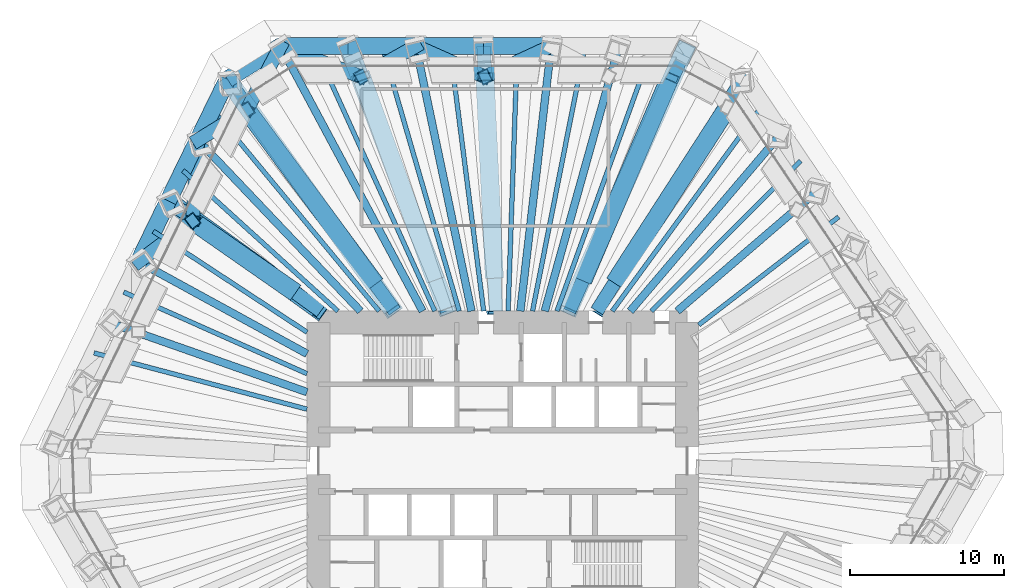
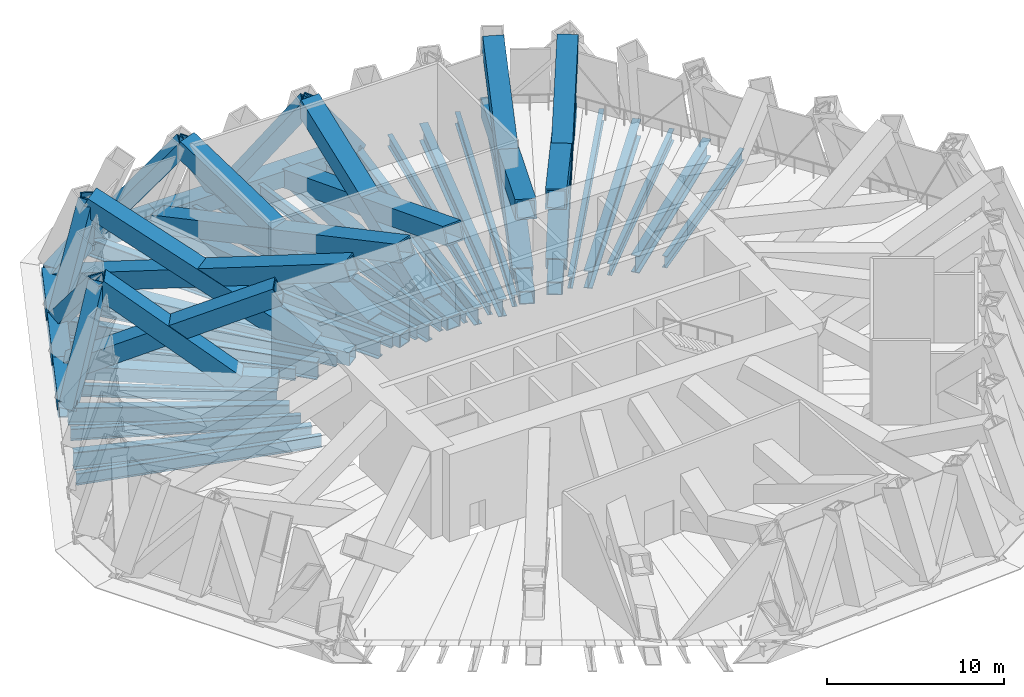
# One storey, part 4 of 12: 29 beams, 28 members.
"""IFC4 building model written with IfcOpenShell, lengths in metres."""

from ifc_helpers import new_model, si_unit, direction, frame, origin, origin_2d, place, context, subcontext, project, spatial, hollow_rectangle, i_section, extrude, material, material_profile, profile_set, type_object, element, save


model = new_model("IFC4")

# Units and contexts
model_context = context("Model", 3, precision=1e-05, world=origin(), true_north=direction((0.0, 1.0)))
body_context = subcontext(model_context, "Body", "Model", "MODEL_VIEW")
ifc_project = project(units=[si_unit("LENGTHUNIT", "METRE"), si_unit("AREAUNIT", "SQUARE_METRE"), si_unit("VOLUMEUNIT", "CUBIC_METRE"), si_unit("PLANEANGLEUNIT", "RADIAN"), si_unit("MASSUNIT", "GRAM", prefix="KILO")], contexts=[model_context])

# Site, building, storey
site_placement = place(None, origin())
site = spatial("IfcSite", under=ifc_project, at=site_placement, CompositionType="ELEMENT")
building_placement = place(site_placement, origin())
building = spatial("IfcBuilding", under=site, at=building_placement, Name="Qingtian Harvest Tower", CompositionType="ELEMENT")
storey_placement = place(building_placement, frame((0.0, 0.0, 97.0)))
storey = spatial("IfcBuildingStorey", under=building, at=storey_placement, Name="L19", CompositionType="ELEMENT", Elevation=97.0)

# Members
ifc_material_1 = material(Name="Steel SM570MC", Category="steel")
ifc_material_profile_1 = material_profile(ifc_material_1, hollow_rectangle(XDim=1.10009765625, YDim=1.10009765625, WallThickness=0.080078125, at=origin_2d()), Name="BOX1100x1100x80")
ifc_profile_set_1 = profile_set([ifc_material_profile_1], Name="Steel SM570MC")
member_type_1 = type_object("IfcMemberType", Name="Belt truss chord BC1 BOX1100x1100x80", PredefinedType="CHORD", material=ifc_profile_set_1)
for number, where, z_axis, x_axis, name in (
    (1, (-14.471435546875, 27.0, -0.550048828125), (1.0, 0.0, 0.0), (0.0, 1.0, 0.0), "Belt chord BC1 N0"),
    (2, (-10.06689453125, 27.0, -0.550048828125), (1.0, 0.0, 0.0), (0.0, 1.0, 0.0), "Belt chord BC1 N1"),
):
    element("IfcMember", number, at=place(storey_placement, frame(where, z_axis=z_axis, x_axis=x_axis)), inside=storey, type_object=member_type_1, Name=name, PredefinedType="CHORD", context=body_context, shape_type="SweptSolid", body=[
        extrude(hollow_rectangle(XDim=1.10009765625, YDim=1.10009765625, WallThickness=0.080078125, at=origin_2d()), origin(), (0.0, 0.0, 1.0), 4.404541015625),
    ])
member_1_placement = place(storey_placement, frame((-5.662353515625, 27.0, -0.550048828125), z_axis=(1.0, 0.0, 0.0), x_axis=(0.0, 1.0, 0.0)))
element("IfcMember", 3, at=member_1_placement, inside=storey, type_object=member_type_1, Name="Belt chord BC1 N2", PredefinedType="CHORD", context=body_context, shape_type="SweptSolid", body=[
    extrude(hollow_rectangle(XDim=1.10009765625, YDim=1.10009765625, WallThickness=0.080078125, at=origin_2d()), origin(), (0.0, 0.0, 1.0), 4.40478515625),
])
member_2_placement = place(storey_placement, frame((-1.257568359375, 27.0, -0.550048828125), z_axis=(1.0, 0.0, 0.0), x_axis=(0.0, 1.0, 0.0)))
element("IfcMember", 4, at=member_2_placement, inside=storey, type_object=member_type_1, Name="Belt chord BC1 N3", PredefinedType="CHORD", context=body_context, shape_type="SweptSolid", body=[
    extrude(hollow_rectangle(XDim=1.10009765625, YDim=1.10009765625, WallThickness=0.080078125, at=origin_2d()), origin(), (0.0, 0.0, 1.0), 4.404541015625),
])
member_3_placement = place(storey_placement, frame((-23.716064453125, 12.96630859375, -0.550048828125), z_axis=(0.438367938366, 0.898795611145, 0.0), x_axis=(-0.898795611145, 0.438367938366, 0.0)))
element("IfcMember", 5, at=member_3_placement, inside=storey, type_object=member_type_1, Name="Belt chord BC1 NW3", PredefinedType="CHORD", context=body_context, shape_type="SweptSolid", body=[
    extrude(hollow_rectangle(XDim=1.10009765625, YDim=1.10009765625, WallThickness=0.080078125, at=origin_2d()), origin(), (0.0, 0.0, 1.0), 4.40478515625),
])
for number, where, z_axis, x_axis, name in (
    (6, (-21.78515625, 16.92529296875, -0.550048828125), (0.438344999367, 0.898806798778, 0.0), (-0.898806798778, 0.438344999367, 0.0), "Belt chord BC1 NW4"),
    (7, (-19.8544921875, 20.884033203125, -0.550048828125), (0.438389777529, 0.898784959241, 0.0), (-0.898784959241, 0.438389777529, 0.0), "Belt chord BC1 NW5"),
):
    element("IfcMember", number, at=place(storey_placement, frame(where, z_axis=z_axis, x_axis=x_axis)), inside=storey, type_object=member_type_1, Name=name, PredefinedType="CHORD", context=body_context, shape_type="SweptSolid", body=[
        extrude(hollow_rectangle(XDim=1.10009765625, YDim=1.10009765625, WallThickness=0.080078125, at=origin_2d()), origin(), (0.0, 0.0, 1.0), 4.404541015625),
    ])
member_4_placement = place(storey_placement, frame((-17.923583984375, 24.8427734375, -0.550048828125), z_axis=(0.848038733752, 0.529934246919, 0.0), x_axis=(-0.529934246919, 0.848038733752, 0.0)))
element("IfcMember", 8, at=member_4_placement, inside=storey, type_object=member_type_1, Name="Belt chord BC1 NWC", PredefinedType="CHORD", context=body_context, shape_type="SweptSolid", body=[
    extrude(hollow_rectangle(XDim=1.10009765625, YDim=1.10009765625, WallThickness=0.080078125, at=origin_2d()), origin(), (0.0, 0.0, 1.0), 4.07080078125),
])
ifc_material_2 = material(Name="Steel SM570MC", Category="steel")
ifc_material_profile_2 = material_profile(ifc_material_2, hollow_rectangle(XDim=0.89990234375, YDim=0.89990234375, WallThickness=0.06005859375, at=origin_2d()), Name="BOX900x900x60")
ifc_profile_set_2 = profile_set([ifc_material_profile_2], Name="Steel SM570MC")
member_type_2 = type_object("IfcMemberType", Name="Belt truss diagonal BD1 BOX900x900x60", PredefinedType="BRACE", material=ifc_profile_set_2)
member_5_placement = place(storey_placement, frame((-14.471435546875, 27.0, -0.550048828125), z_axis=(0.640065096861, -0.24296433314, 0.728892999419), x_axis=(0.354885373523, 0.934909820068, 0.0)))
element("IfcMember", 9, at=member_5_placement, inside=storey, type_object=member_type_2, Name="Belt truss diagonal BD1 L19 N0", PredefinedType="BRACE", context=body_context, shape_type="SweptSolid", body=[
    extrude(hollow_rectangle(XDim=0.89990234375, YDim=0.89990234375, WallThickness=0.06005859375, at=origin_2d()), origin(), (0.0, 0.0, 1.0), 8.231689453125),
])
member_6_placement = place(storey_placement, frame((-9.20263671875, 25.0, 5.449951171875), z_axis=(0.488449199028, 0.275937924173, -0.827813772519), x_axis=(-0.491865333469, 0.870671289139, 0.0)))
element("IfcMember", 10, at=member_6_placement, inside=storey, type_object=member_type_2, Name="Belt truss diagonal BD1 L19 N1", PredefinedType="BRACE", context=body_context, shape_type="SweptSolid", body=[
    extrude(hollow_rectangle(XDim=0.89990234375, YDim=0.89990234375, WallThickness=0.06005859375, at=origin_2d()), origin(), (0.0, 0.0, 1.0), 7.248046875),
])
member_7_placement = place(storey_placement, frame((-5.662353515625, 27.0, -0.550048828125), z_axis=(0.579552982792, -0.257704935951, 0.773114807854), x_axis=(0.406304125829, 0.91373790407, 0.0)))
element("IfcMember", 11, at=member_7_placement, inside=storey, type_object=member_type_2, Name="Belt truss diagonal BD1 L19 N2", PredefinedType="BRACE", context=body_context, shape_type="SweptSolid", body=[
    extrude(hollow_rectangle(XDim=0.89990234375, YDim=0.89990234375, WallThickness=0.06005859375, at=origin_2d()), origin(), (0.0, 0.0, 1.0), 7.7607421875),
])
member_8_placement = place(storey_placement, frame((-1.16455078125, 25.0, 5.449951171875), z_axis=(0.563276768709, 0.261288974477, -0.783866923431), x_axis=(-0.420803399984, 0.907151860805, 0.0)))
element("IfcMember", 12, at=member_8_placement, inside=storey, type_object=member_type_2, Name="Belt truss diagonal BD1 L19 N3", PredefinedType="BRACE", context=body_context, shape_type="SweptSolid", body=[
    extrude(hollow_rectangle(XDim=0.89990234375, YDim=0.89990234375, WallThickness=0.06005859375, at=origin_2d()), origin(), (0.0, 0.0, 1.0), 7.654296875),
])
member_9_placement = place(storey_placement, frame((-23.716064453125, 12.96630859375, -0.550048828125), z_axis=(0.472672330915, 0.356242496419, 0.806022426073), x_axis=(-0.601877896444, 0.798588127743, 0.0)))
element("IfcMember", 13, at=member_9_placement, inside=storey, type_object=member_type_2, Name="Belt truss diagonal BD1 L19 NW3", PredefinedType="BRACE", context=body_context, shape_type="SweptSolid", body=[
    extrude(hollow_rectangle(XDim=0.89990234375, YDim=0.89990234375, WallThickness=0.06005859375, at=origin_2d()), origin(), (0.0, 0.0, 1.0), 7.44384765625),
])
member_10_placement = place(storey_placement, frame((-20.197509765625, 15.6181640625, 5.449951171875), z_axis=(0.042928527926, 0.659021650413, -0.750897866408), x_axis=(-0.99788513224, 0.06500202192, 0.0)))
element("IfcMember", 14, at=member_10_placement, inside=storey, type_object=member_type_2, Name="Belt truss diagonal BD1 L19 NW4", PredefinedType="BRACE", context=body_context, shape_type="SweptSolid", body=[
    extrude(hollow_rectangle(XDim=0.89990234375, YDim=0.89990234375, WallThickness=0.06005859375, at=origin_2d()), origin(), (0.0, 0.0, 1.0), 7.990478515625),
])
member_11_placement = place(storey_placement, frame((-19.8544921875, 20.884033203125, -0.550048828125), z_axis=(0.450024093502, 0.277137189298, 0.84892478676), x_axis=(-0.524370894326, 0.851489967753, 0.0)))
element("IfcMember", 15, at=member_11_placement, inside=storey, type_object=member_type_2, Name="Belt truss diagonal BD1 L19 NW5", PredefinedType="BRACE", context=body_context, shape_type="SweptSolid", body=[
    extrude(hollow_rectangle(XDim=0.89990234375, YDim=0.89990234375, WallThickness=0.06005859375, at=origin_2d()), origin(), (0.0, 0.0, 1.0), 7.06787109375),
])
member_12_placement = place(storey_placement, frame((-16.673828125, 22.8427734375, 5.449951171875), z_axis=(0.288857149608, 0.545245487587, -0.786936404918), x_axis=(-0.88365534016, 0.468138056353, 0.0)))
element("IfcMember", 16, at=member_12_placement, inside=storey, type_object=member_type_2, Name="Belt truss diagonal BD1 L19 NW6", PredefinedType="BRACE", context=body_context, shape_type="SweptSolid", body=[
    extrude(hollow_rectangle(XDim=0.89990234375, YDim=0.89990234375, WallThickness=0.06005859375, at=origin_2d()), origin(), (0.0, 0.0, 1.0), 7.62451171875),
])

# Beams
ifc_material_3 = material(Name="Steel SN490B", Category="steel")
ifc_material_profile_3 = material_profile(ifc_material_3, i_section(OverallWidth=0.300048828125, OverallDepth=0.800048828125, WebThickness=0.013916015625, FlangeThickness=0.02587890625, at=origin_2d()), Name="H800x300x14x26")
ifc_profile_set_3 = profile_set([ifc_material_profile_3], Name="Steel SN490B")
beam_type_1 = type_object("IfcBeamType", Name="Floor joist J1 H800x300x14x26", PredefinedType="JOIST", material=ifc_profile_set_3)
beam_1_placement = place(storey_placement, frame((-12.269287109375, 27.0, -0.679931640625), z_axis=(0.413713629402, -0.910407069858, 0.0), x_axis=(0.910407069858, 0.413713629402, 0.0)))
element("IfcBeam", 17, at=beam_1_placement, inside=storey, type_object=beam_type_1, Name="Floor joist J1 N0", PredefinedType="JOIST", context=body_context, shape_type="SweptSolid", body=[
    extrude(i_section(OverallWidth=0.300048828125, OverallDepth=0.800048828125, WebThickness=0.013916015625, FlangeThickness=0.02587890625, at=origin_2d()), origin(), (0.0, 0.0, 1.0), 18.947509765625),
])
beam_2_placement = place(storey_placement, frame((-7.864501953125, 27.0, -0.679931640625), z_axis=(0.279649335299, -0.960102207719, 0.0), x_axis=(0.960102207719, 0.279649335299, 0.0)))
element("IfcBeam", 18, at=beam_2_placement, inside=storey, type_object=beam_type_1, Name="Floor joist J1 N1", PredefinedType="JOIST", context=body_context, shape_type="SweptSolid", body=[
    extrude(i_section(OverallWidth=0.300048828125, OverallDepth=0.800048828125, WebThickness=0.013916015625, FlangeThickness=0.02587890625, at=origin_2d()), origin(), (0.0, 0.0, 1.0), 17.966796875),
])
beam_3_placement = place(storey_placement, frame((-3.4599609375, 27.0, -0.679931640625), z_axis=(0.127102696173, -0.991889562716, 0.0), x_axis=(0.991889562716, 0.127102696173, 0.0)))
element("IfcBeam", 19, at=beam_3_placement, inside=storey, type_object=beam_type_1, Name="Floor joist J1 N2", PredefinedType="JOIST", context=body_context, shape_type="SweptSolid", body=[
    extrude(i_section(OverallWidth=0.300048828125, OverallDepth=0.800048828125, WebThickness=0.013916015625, FlangeThickness=0.02587890625, at=origin_2d()), origin(), (0.0, 0.0, 1.0), 17.39111328125),
])
beam_4_placement = place(storey_placement, frame((0.944580078125, 27.0, -0.679931640625), z_axis=(-0.034965020137, -0.99938853674, 0.0), x_axis=(0.99938853674, -0.034965020137, 0.0)))
element("IfcBeam", 20, at=beam_4_placement, inside=storey, type_object=beam_type_1, Name="Floor joist J1 N3", PredefinedType="JOIST", context=body_context, shape_type="SweptSolid", body=[
    extrude(i_section(OverallWidth=0.300048828125, OverallDepth=0.800048828125, WebThickness=0.013916015625, FlangeThickness=0.02587890625, at=origin_2d()), origin(), (0.0, 0.0, 1.0), 17.260498046875),
])
beam_5_placement = place(storey_placement, frame((5.349365234375, 27.0, -0.679931640625), z_axis=(-0.19435104803, -0.980932041545, 0.0), x_axis=(0.980932041545, -0.19435104803, 0.0)))
element("IfcBeam", 21, at=beam_5_placement, inside=storey, type_object=beam_type_1, Name="Floor joist J1 N4", PredefinedType="JOIST", context=body_context, shape_type="SweptSolid", body=[
    extrude(i_section(OverallWidth=0.300048828125, OverallDepth=0.800048828125, WebThickness=0.013916015625, FlangeThickness=0.02587890625, at=origin_2d()), origin(), (0.0, 0.0, 1.0), 17.585205078125),
])
beam_6_placement = place(storey_placement, frame((9.75390625, 27.0, -0.679931640625), z_axis=(-0.339766141765, -0.940509951521, 0.0), x_axis=(0.940509951521, -0.339766141765, 0.0)))
element("IfcBeam", 22, at=beam_6_placement, inside=storey, type_object=beam_type_1, Name="Floor joist J1 N5", PredefinedType="JOIST", context=body_context, shape_type="SweptSolid", body=[
    extrude(i_section(OverallWidth=0.300048828125, OverallDepth=0.800048828125, WebThickness=0.013916015625, FlangeThickness=0.02587890625, at=origin_2d()), origin(), (0.0, 0.0, 1.0), 18.341064453125),
])
beam_7_placement = place(storey_placement, frame((16.9296875, 23.1845703125, -0.679931640625), z_axis=(-0.589722175422, -0.80760618857, 0.0), x_axis=(0.80760618857, -0.589722175422, 0.0)))
element("IfcBeam", 23, at=beam_7_placement, inside=storey, type_object=beam_type_1, Name="Floor joist J1 NE0", PredefinedType="JOIST", context=body_context, shape_type="SweptSolid", body=[
    extrude(i_section(OverallWidth=0.300048828125, OverallDepth=0.800048828125, WebThickness=0.013916015625, FlangeThickness=0.02587890625, at=origin_2d()), origin(), (0.0, 0.0, 1.0), 16.635009765625),
])
beam_8_placement = place(storey_placement, frame((19.392822265625, 19.532958984375, -0.679931640625), z_axis=(-0.704560879039, -0.709643549768, 0.0), x_axis=(0.709643549768, -0.704560879039, 0.0)))
element("IfcBeam", 24, at=beam_8_placement, inside=storey, type_object=beam_type_1, Name="Floor joist J1 NE1", PredefinedType="JOIST", context=body_context, shape_type="SweptSolid", body=[
    extrude(i_section(OverallWidth=0.300048828125, OverallDepth=0.800048828125, WebThickness=0.013916015625, FlangeThickness=0.02587890625, at=origin_2d()), origin(), (0.0, 0.0, 1.0), 13.78564453125),
])
beam_9_placement = place(storey_placement, frame((21.855712890625, 15.88134765625, -0.679931640625), z_axis=(-0.79149450594, -0.611176281499, 0.0), x_axis=(0.611176281499, -0.79149450594, 0.0)))
element("IfcBeam", 25, at=beam_9_placement, inside=storey, type_object=beam_type_1, Name="Floor joist J1 NE2", PredefinedType="JOIST", context=body_context, shape_type="SweptSolid", body=[
    extrude(i_section(OverallWidth=0.300048828125, OverallDepth=0.800048828125, WebThickness=0.013916015625, FlangeThickness=0.02587890625, at=origin_2d()), origin(), (0.0, 0.0, 1.0), 11.50439453125),
])
beam_10_placement = place(storey_placement, frame((-26.6123046875, 7.028076171875, -0.679931640625), z_axis=(0.966852496992, -0.255335561684, 0.0), x_axis=(0.255335561684, 0.966852496992, 0.0)))
element("IfcBeam", 26, at=beam_10_placement, inside=storey, type_object=beam_type_1, Name="Floor joist J1 NW1", PredefinedType="JOIST", context=body_context, shape_type="SweptSolid", body=[
    extrude(i_section(OverallWidth=0.300048828125, OverallDepth=0.800048828125, WebThickness=0.013916015625, FlangeThickness=0.02587890625, at=origin_2d()), origin(), (0.0, 0.0, 1.0), 14.337646484375),
])
beam_11_placement = place(storey_placement, frame((-24.681640625, 10.987060546875, -0.679931640625), z_axis=(0.913567796195, -0.406686466157, 0.0), x_axis=(0.406686466157, 0.913567796195, 0.0)))
element("IfcBeam", 27, at=beam_11_placement, inside=storey, type_object=beam_type_1, Name="Floor joist J1 NW2", PredefinedType="JOIST", context=body_context, shape_type="SweptSolid", body=[
    extrude(i_section(OverallWidth=0.300048828125, OverallDepth=0.800048828125, WebThickness=0.013916015625, FlangeThickness=0.02587890625, at=origin_2d()), origin(), (0.0, 0.0, 1.0), 13.060546875),
])
beam_12_placement = place(storey_placement, frame((-22.750732421875, 14.94580078125, -0.679931640625), z_axis=(0.835785467613, -0.549056146607, 0.0), x_axis=(0.549056146607, 0.835785467613, 0.0)))
element("IfcBeam", 28, at=beam_12_placement, inside=storey, type_object=beam_type_1, Name="Floor joist J1 NW3", PredefinedType="JOIST", context=body_context, shape_type="SweptSolid", body=[
    extrude(i_section(OverallWidth=0.300048828125, OverallDepth=0.800048828125, WebThickness=0.013916015625, FlangeThickness=0.02587890625, at=origin_2d()), origin(), (0.0, 0.0, 1.0), 11.965576171875),
])
beam_13_placement = place(storey_placement, frame((-20.81982421875, 18.904541015625, -0.679931640625), z_axis=(0.740339866926, -0.672232758381, 0.0), x_axis=(0.672232758381, 0.740339866926, 0.0)))
element("IfcBeam", 29, at=beam_13_placement, inside=storey, type_object=beam_type_1, Name="Floor joist J1 NW4", PredefinedType="JOIST", context=body_context, shape_type="SweptSolid", body=[
    extrude(i_section(OverallWidth=0.300048828125, OverallDepth=0.800048828125, WebThickness=0.013916015625, FlangeThickness=0.02587890625, at=origin_2d()), origin(), (0.0, 0.0, 1.0), 13.6181640625),
])
beam_14_placement = place(storey_placement, frame((-18.888916015625, 22.863525390625, -0.679931640625), z_axis=(0.636910378144, -0.77093785107, 0.0), x_axis=(0.77093785107, 0.636910378144, 0.0)))
element("IfcBeam", 30, at=beam_14_placement, inside=storey, type_object=beam_type_1, Name="Floor joist J1 NW5", PredefinedType="JOIST", context=body_context, shape_type="SweptSolid", body=[
    extrude(i_section(OverallWidth=0.300048828125, OverallDepth=0.800048828125, WebThickness=0.013916015625, FlangeThickness=0.02587890625, at=origin_2d()), origin(), (0.0, 0.0, 1.0), 17.009765625),
])
ifc_material_4 = material(Name="Steel SM570MC", Category="steel")
ifc_material_profile_4 = material_profile(ifc_material_4, hollow_rectangle(XDim=0.89990234375, YDim=0.89990234375, WallThickness=0.06005859375, at=origin_2d()), Name="BOX900x900x60")
ifc_profile_set_4 = profile_set([ifc_material_profile_4], Name="Steel SM570MC")
beam_type_2 = type_object("IfcBeamType", Name="Outrigger chord beam OC1 BOX900x900x60", PredefinedType="BEAM", material=ifc_profile_set_4)
beam_15_placement = place(storey_placement, frame((-10.06689453125, 27.0, -0.72998046875), z_axis=(0.349355612113, -0.936990211414, 0.0), x_axis=(0.936990211414, 0.349355612113, 0.0)))
element("IfcBeam", 31, at=beam_15_placement, inside=storey, type_object=beam_type_2, Name="Floor beam OC1 N1", PredefinedType="BEAM", context=body_context, shape_type="SweptSolid", body=[
    extrude(hollow_rectangle(XDim=0.89990234375, YDim=0.89990234375, WallThickness=0.06005859375, at=origin_2d()), origin(), (0.0, 0.0, 1.0), 18.409912109375),
])
beam_16_placement = place(storey_placement, frame((-1.257568359375, 27.0, -0.72998046875), z_axis=(0.046527342366, -0.99891701678, 0.0), x_axis=(0.99891701678, 0.046527342366, 0.0)))
element("IfcBeam", 32, at=beam_16_placement, inside=storey, type_object=beam_type_2, Name="Floor beam OC1 N3", PredefinedType="BEAM", context=body_context, shape_type="SweptSolid", body=[
    extrude(hollow_rectangle(XDim=0.89990234375, YDim=0.89990234375, WallThickness=0.06005859375, at=origin_2d()), origin(), (0.0, 0.0, 1.0), 17.268798828125),
])
beam_17_placement = place(storey_placement, frame((11.9560546875, 27.0, -0.72998046875), z_axis=(-0.404898955654, -0.914361436036, 0.0), x_axis=(0.914361436036, -0.404898955654, 0.0)))
element("IfcBeam", 33, at=beam_17_placement, inside=storey, type_object=beam_type_2, Name="Floor beam OC1 N6", PredefinedType="BEAM", context=body_context, shape_type="SweptSolid", body=[
    extrude(hollow_rectangle(XDim=0.89990234375, YDim=0.89990234375, WallThickness=0.06005859375, at=origin_2d()), origin(), (0.0, 0.0, 1.0), 18.86572265625),
])
beam_18_placement = place(storey_placement, frame((15.6982421875, 25.01025390625, -0.72998046875), z_axis=(-0.531622796942, -0.846981228701, 0.0), x_axis=(0.846981228701, -0.531622796942, 0.0)))
element("IfcBeam", 34, at=beam_18_placement, inside=storey, type_object=beam_type_2, Name="Floor beam OC1 NE0", PredefinedType="BEAM", context=body_context, shape_type="SweptSolid", body=[
    extrude(hollow_rectangle(XDim=0.89990234375, YDim=0.89990234375, WallThickness=0.06005859375, at=origin_2d()), origin(), (0.0, 0.0, 1.0), 18.017333984375),
])
beam_19_placement = place(storey_placement, frame((-21.78515625, 16.92529296875, -0.72998046875), z_axis=(0.810680279019, -0.585489099139, 0.0), x_axis=(0.585489099139, 0.810680279019, 0.0)))
element("IfcBeam", 35, at=beam_19_placement, inside=storey, type_object=beam_type_2, Name="Floor beam OC1 NW4", PredefinedType="BEAM", context=body_context, shape_type="SweptSolid", body=[
    extrude(hollow_rectangle(XDim=0.89990234375, YDim=0.89990234375, WallThickness=0.06005859375, at=origin_2d()), origin(), (0.0, 0.0, 1.0), 12.255126953125),
])
beam_20_placement = place(storey_placement, frame((-17.923583984375, 24.8427734375, -0.72998046875), z_axis=(0.585095822328, -0.810964166098, 0.0), x_axis=(0.810964166098, 0.585095822328, 0.0)))
element("IfcBeam", 36, at=beam_20_placement, inside=storey, type_object=beam_type_2, Name="Floor beam OC1 NW6", PredefinedType="BEAM", context=body_context, shape_type="SweptSolid", body=[
    extrude(hollow_rectangle(XDim=0.89990234375, YDim=0.89990234375, WallThickness=0.06005859375, at=origin_2d()), origin(), (0.0, 0.0, 1.0), 18.61083984375),
])

# Members
ifc_material_5 = material(Name="Steel SM570MC", Category="steel")
ifc_material_profile_5 = material_profile(ifc_material_5, hollow_rectangle(XDim=1.199951171875, YDim=1.199951171875, WallThickness=0.10009765625, at=origin_2d()), Name="BOX1200x1200x100")
ifc_profile_set_5 = profile_set([ifc_material_profile_5], Name="Steel SM570MC")
member_type_3 = type_object("IfcMemberType", Name="Outrigger diagonal OT1 BOX1200x1200x100", PredefinedType="BRACE", material=ifc_profile_set_5)
member_13_placement = place(storey_placement, frame((11.9560546875, 27.0, -0.72998046875), z_axis=(-0.388172961141, -0.868704825238, 0.307690881969), x_axis=(0.912997651231, -0.407964813245, 0.0)))
element("IfcMember", 37, at=member_13_placement, inside=storey, type_object=member_type_3, Name="Outrigger diagonal OT1 L19 N6-1", PredefinedType="BRACE", context=body_context, shape_type="SweptSolid", body=[
    extrude(hollow_rectangle(XDim=1.199951171875, YDim=1.199951171875, WallThickness=0.10009765625, at=origin_2d()), origin(), (0.0, 0.0, 1.0), 19.857177734375),
])
member_14_placement = place(storey_placement, frame((5.289306640625, 11.944580078125, -0.72998046875), z_axis=(0.362329571156, 0.844178015752, 0.395070575451), x_axis=(-0.918932462394, 0.394414920558, 0.0)))
element("IfcMember", 38, at=member_14_placement, inside=storey, type_object=member_type_3, Name="Outrigger diagonal OT1 L19 N6-2", PredefinedType="BRACE", context=body_context, shape_type="SweptSolid", body=[
    extrude(hollow_rectangle(XDim=1.199951171875, YDim=1.199951171875, WallThickness=0.10009765625, at=origin_2d()), origin(), (0.0, 0.0, 1.0), 15.46533203125),
])
member_15_placement = place(storey_placement, frame((-10.06689453125, 27.0, -0.72998046875), z_axis=(0.333687160278, -0.888591565093, 0.314734665252), x_axis=(0.936167904992, 0.351553201754, 0.0)))
element("IfcMember", 39, at=member_15_placement, inside=storey, type_object=member_type_3, Name="Outrigger diagonal OT1 L19 N1-1", PredefinedType="BRACE", context=body_context, shape_type="SweptSolid", body=[
    extrude(hollow_rectangle(XDim=1.199951171875, YDim=1.199951171875, WallThickness=0.10009765625, at=origin_2d()), origin(), (0.0, 0.0, 1.0), 19.412841796875),
])
member_16_placement = place(storey_placement, frame((-4.4736328125, 11.998779296875, -0.72998046875), z_axis=(-0.312688738464, 0.859659958154, 0.403993204378), x_axis=(-0.939763535675, -0.341825243386, 0.0)))
element("IfcMember", 40, at=member_16_placement, inside=storey, type_object=member_type_3, Name="Outrigger diagonal OT1 L19 N1-2", PredefinedType="BRACE", context=body_context, shape_type="SweptSolid", body=[
    extrude(hollow_rectangle(XDim=1.199951171875, YDim=1.199951171875, WallThickness=0.10009765625, at=origin_2d()), origin(), (0.0, 0.0, 1.0), 15.123779296875),
])
member_17_placement = place(storey_placement, frame((-1.257568359375, 27.0, -0.72998046875), z_axis=(0.043862841511, -0.941711616459, 0.333549520402), x_axis=(0.99891701678, 0.046527342366, 0.0)))
element("IfcMember", 41, at=member_17_placement, inside=storey, type_object=member_type_3, Name="Outrigger diagonal OT1 L19 N3-1", PredefinedType="BRACE", context=body_context, shape_type="SweptSolid", body=[
    extrude(hollow_rectangle(XDim=1.199951171875, YDim=1.199951171875, WallThickness=0.10009765625, at=origin_2d()), origin(), (0.0, 0.0, 1.0), 18.317626953125),
])
member_18_placement = place(storey_placement, frame((-0.56591796875, 12.1474609375, -0.72998046875), z_axis=(-0.042028567855, 0.902345810011, 0.428958784312), x_axis=(-0.998917052876, -0.046526567389, 0.0)))
element("IfcMember", 42, at=member_18_placement, inside=storey, type_object=member_type_3, Name="Outrigger diagonal OT1 L19 N3-2", PredefinedType="BRACE", context=body_context, shape_type="SweptSolid", body=[
    extrude(hollow_rectangle(XDim=1.199951171875, YDim=1.199951171875, WallThickness=0.10009765625, at=origin_2d()), origin(), (0.0, 0.0, 1.0), 14.243408203125),
])
member_19_placement = place(storey_placement, frame((-21.78515625, 16.92529296875, -0.72998046875), z_axis=(0.725514147371, -0.52398045882, 0.446176759525), x_axis=(0.585489099139, 0.810680279019, 0.0)))
element("IfcMember", 43, at=member_19_placement, inside=storey, type_object=member_type_3, Name="Outrigger diagonal OT1 L19 NW4-1", PredefinedType="BRACE", context=body_context, shape_type="SweptSolid", body=[
    extrude(hollow_rectangle(XDim=1.199951171875, YDim=1.199951171875, WallThickness=0.10009765625, at=origin_2d()), origin(), (0.0, 0.0, 1.0), 13.69384765625),
])
member_20_placement = place(storey_placement, frame((-13.795654296875, 11.155029296875, -0.72998046875), z_axis=(-0.64591518274, 0.450307964902, 0.616454632112), x_axis=(-0.571899211279, -0.820323894653, 0.0)))
element("IfcMember", 44, at=member_20_placement, inside=storey, type_object=member_type_3, Name="Outrigger diagonal OT1 L19 NW4-2", PredefinedType="BRACE", context=body_context, shape_type="SweptSolid", body=[
    extrude(hollow_rectangle(XDim=1.199951171875, YDim=1.199951171875, WallThickness=0.10009765625, at=origin_2d()), origin(), (0.0, 0.0, 1.0), 9.911376953125),
])
member_21_placement = place(storey_placement, frame((15.6982421875, 25.01025390625, -0.72998046875), z_axis=(-0.500261623308, -0.803839409422, 0.321839264394), x_axis=(0.849011650015, -0.528374127053, 0.0)))
element("IfcMember", 45, at=member_21_placement, inside=storey, type_object=member_type_3, Name="Outrigger diagonal OT1 L19 NE0-1", PredefinedType="BRACE", context=body_context, shape_type="SweptSolid", body=[
    extrude(hollow_rectangle(XDim=1.199951171875, YDim=1.199951171875, WallThickness=0.10009765625, at=origin_2d()), origin(), (0.0, 0.0, 1.0), 18.984130859375),
])
member_22_placement = place(storey_placement, frame((7.395751953125, 11.78271484375, -0.72998046875), z_axis=(0.492790525054, 0.764306453953, 0.415924443695), x_axis=(-0.840452109538, 0.54188582891, 0.0)))
element("IfcMember", 46, at=member_22_placement, inside=storey, type_object=member_type_3, Name="Outrigger diagonal OT1 L19 NE0-2", PredefinedType="BRACE", context=body_context, shape_type="SweptSolid", body=[
    extrude(hollow_rectangle(XDim=1.199951171875, YDim=1.199951171875, WallThickness=0.10009765625, at=origin_2d()), origin(), (0.0, 0.0, 1.0), 14.68994140625),
])
member_23_placement = place(storey_placement, frame((-17.923583984375, 24.8427734375, -0.72998046875), z_axis=(0.552984078333, -0.772308777394, 0.312646384068), x_axis=(0.813068220418, 0.582168419744, 0.0)))
element("IfcMember", 47, at=member_23_placement, inside=storey, type_object=member_type_3, Name="Outrigger diagonal OT1 L19 NW6-1", PredefinedType="BRACE", context=body_context, shape_type="SweptSolid", body=[
    extrude(hollow_rectangle(XDim=1.199951171875, YDim=1.199951171875, WallThickness=0.10009765625, at=origin_2d()), origin(), (0.0, 0.0, 1.0), 19.54248046875),
])
member_24_placement = place(storey_placement, frame((-8.438720703125, 11.6962890625, -0.72998046875), z_axis=(-0.543726590734, 0.735951534985, 0.403406411305), x_axis=(-0.804300236472, -0.594223131164, 0.0)))
element("IfcMember", 48, at=member_24_placement, inside=storey, type_object=member_type_3, Name="Outrigger diagonal OT1 L19 NW6-2", PredefinedType="BRACE", context=body_context, shape_type="SweptSolid", body=[
    extrude(hollow_rectangle(XDim=1.199951171875, YDim=1.199951171875, WallThickness=0.10009765625, at=origin_2d()), origin(), (0.0, 0.0, 1.0), 15.145751953125),
])

# Beams
ifc_material_6 = material(Name="Steel SM570MC", Category="steel")
ifc_material_profile_6 = material_profile(ifc_material_6, i_section(OverallWidth=0.5, OverallDepth=1.199951171875, WebThickness=0.02490234375, FlangeThickness=0.050048828125, at=origin_2d()), Name="H1200x500x25x50")
ifc_profile_set_6 = profile_set([ifc_material_profile_6], Name="Steel SM570MC")
beam_type_3 = type_object("IfcBeamType", Name="Plant corner beam FB10 H1200x500x25x50", PredefinedType="BEAM", material=ifc_profile_set_6)
beam_21_placement = place(storey_placement, frame((-14.471435546875, 27.0, -0.8798828125), z_axis=(0.472401408299, -0.881383520062, 0.0), x_axis=(0.881383520062, 0.472401408299, 0.0)))
element("IfcBeam", 49, at=beam_21_placement, inside=storey, type_object=beam_type_3, Name="Floor beam FB10 N0", PredefinedType="BEAM", context=body_context, shape_type="SweptSolid", body=[
    extrude(i_section(OverallWidth=0.5, OverallDepth=1.199951171875, WebThickness=0.02490234375, FlangeThickness=0.050048828125, at=origin_2d()), origin(), (0.0, 0.0, 1.0), 19.571533203125),
])
ifc_material_7 = material(Name="Steel SM570MC", Category="steel")
ifc_material_profile_7 = material_profile(ifc_material_7, i_section(OverallWidth=0.5, OverallDepth=1.199951171875, WebThickness=0.02490234375, FlangeThickness=0.050048828125, at=origin_2d()), Name="H1200x500x25x50")
ifc_profile_set_7 = profile_set([ifc_material_profile_7], Name="Steel SM570MC")
beam_type_4 = type_object("IfcBeamType", Name="Plant floor beam FB7 H1200x500x25x50", PredefinedType="BEAM", material=ifc_profile_set_7)
beam_22_placement = place(storey_placement, frame((-5.662353515625, 27.0, -0.8798828125), z_axis=(0.205255077335, -0.978708512903, 0.0), x_axis=(0.978708512903, 0.205255077335, 0.0)))
element("IfcBeam", 50, at=beam_22_placement, inside=storey, type_object=beam_type_4, Name="Floor beam FB7 N2", PredefinedType="BEAM", context=body_context, shape_type="SweptSolid", body=[
    extrude(i_section(OverallWidth=0.5, OverallDepth=1.199951171875, WebThickness=0.02490234375, FlangeThickness=0.050048828125, at=origin_2d()), origin(), (0.0, 0.0, 1.0), 17.625244140625),
])
beam_23_placement = place(storey_placement, frame((3.14697265625, 27.0, -0.8798828125), z_axis=(-0.115766971807, -0.993276400726, 0.0), x_axis=(0.993276400726, -0.115766971807, 0.0)))
element("IfcBeam", 51, at=beam_23_placement, inside=storey, type_object=beam_type_4, Name="Floor beam FB7 N4", PredefinedType="BEAM", context=body_context, shape_type="SweptSolid", body=[
    extrude(i_section(OverallWidth=0.5, OverallDepth=1.199951171875, WebThickness=0.02490234375, FlangeThickness=0.050048828125, at=origin_2d()), origin(), (0.0, 0.0, 1.0), 17.36669921875),
])
beam_24_placement = place(storey_placement, frame((7.551513671875, 27.0, -0.8798828125), z_axis=(-0.269343258019, -0.963044240604, 0.0), x_axis=(0.963044240604, -0.269343258019, 0.0)))
element("IfcBeam", 52, at=beam_24_placement, inside=storey, type_object=beam_type_4, Name="Floor beam FB7 N5", PredefinedType="BEAM", context=body_context, shape_type="SweptSolid", body=[
    extrude(i_section(OverallWidth=0.5, OverallDepth=1.199951171875, WebThickness=0.02490234375, FlangeThickness=0.050048828125, at=origin_2d()), origin(), (0.0, 0.0, 1.0), 17.911865234375),
])
beam_25_placement = place(storey_placement, frame((18.1611328125, 21.358642578125, -0.8798828125), z_axis=(-0.647781887327, -0.761825850474, 0.0), x_axis=(0.761825850474, -0.647781887327, 0.0)))
element("IfcBeam", 53, at=beam_25_placement, inside=storey, type_object=beam_type_4, Name="Floor beam FB7 NE1", PredefinedType="BEAM", context=body_context, shape_type="SweptSolid", body=[
    extrude(i_section(OverallWidth=0.5, OverallDepth=1.199951171875, WebThickness=0.02490234375, FlangeThickness=0.050048828125, at=origin_2d()), origin(), (0.0, 0.0, 1.0), 15.238037109375),
])
beam_26_placement = place(storey_placement, frame((20.624267578125, 17.70703125, -0.8798828125), z_axis=(-0.75873153072, -0.651403457384, 0.0), x_axis=(0.651403457384, -0.75873153072, 0.0)))
element("IfcBeam", 54, at=beam_26_placement, inside=storey, type_object=beam_type_4, Name="Floor beam FB7 NE2", PredefinedType="BEAM", context=body_context, shape_type="SweptSolid", body=[
    extrude(i_section(OverallWidth=0.5, OverallDepth=1.199951171875, WebThickness=0.02490234375, FlangeThickness=0.050048828125, at=origin_2d()), origin(), (0.0, 0.0, 1.0), 12.21533203125),
])
beam_27_placement = place(storey_placement, frame((-25.64697265625, 9.007568359375, -0.8798828125), z_axis=(0.943501950009, -0.331366972296, 0.0), x_axis=(0.331366972296, 0.943501950009, 0.0)))
element("IfcBeam", 55, at=beam_27_placement, inside=storey, type_object=beam_type_4, Name="Floor beam FB7 NW2", PredefinedType="BEAM", context=body_context, shape_type="SweptSolid", body=[
    extrude(i_section(OverallWidth=0.5, OverallDepth=1.199951171875, WebThickness=0.02490234375, FlangeThickness=0.050048828125, at=origin_2d()), origin(), (0.0, 0.0, 1.0), 13.669189453125),
])
beam_28_placement = place(storey_placement, frame((-23.716064453125, 12.96630859375, -0.8798828125), z_axis=(0.877428569154, -0.479707312882, 0.0), x_axis=(0.479707312882, 0.877428569154, 0.0)))
element("IfcBeam", 56, at=beam_28_placement, inside=storey, type_object=beam_type_4, Name="Floor beam FB7 NW3", PredefinedType="BEAM", context=body_context, shape_type="SweptSolid", body=[
    extrude(i_section(OverallWidth=0.5, OverallDepth=1.199951171875, WebThickness=0.02490234375, FlangeThickness=0.050048828125, at=origin_2d()), origin(), (0.0, 0.0, 1.0), 12.498046875),
])
beam_29_placement = place(storey_placement, frame((-19.8544921875, 20.884033203125, -0.8798828125), z_axis=(0.689018801535, -0.724743465739, 0.0), x_axis=(0.724743465739, 0.689018801535, 0.0)))
element("IfcBeam", 57, at=beam_29_placement, inside=storey, type_object=beam_type_4, Name="Floor beam FB7 NW5", PredefinedType="BEAM", context=body_context, shape_type="SweptSolid", body=[
    extrude(i_section(OverallWidth=0.5, OverallDepth=1.199951171875, WebThickness=0.02490234375, FlangeThickness=0.050048828125, at=origin_2d()), origin(), (0.0, 0.0, 1.0), 15.36279296875),
])

save(model, "model.ifc")
